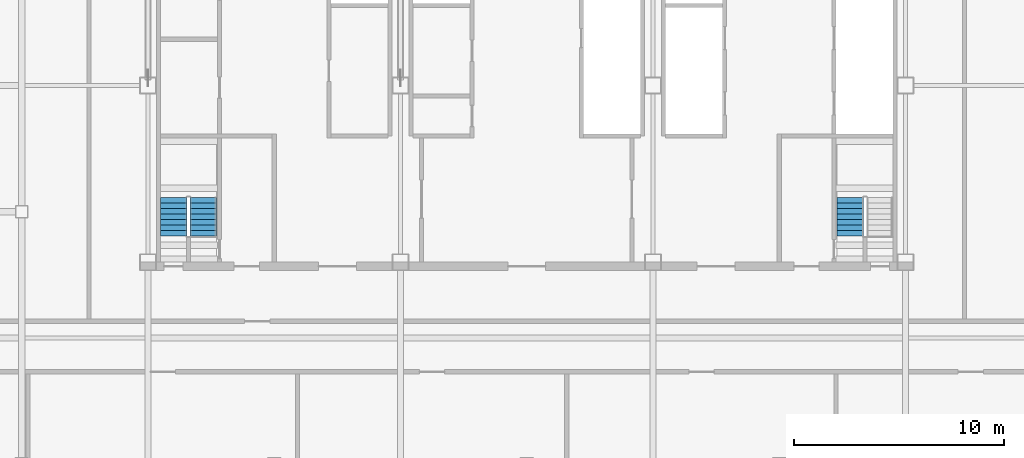
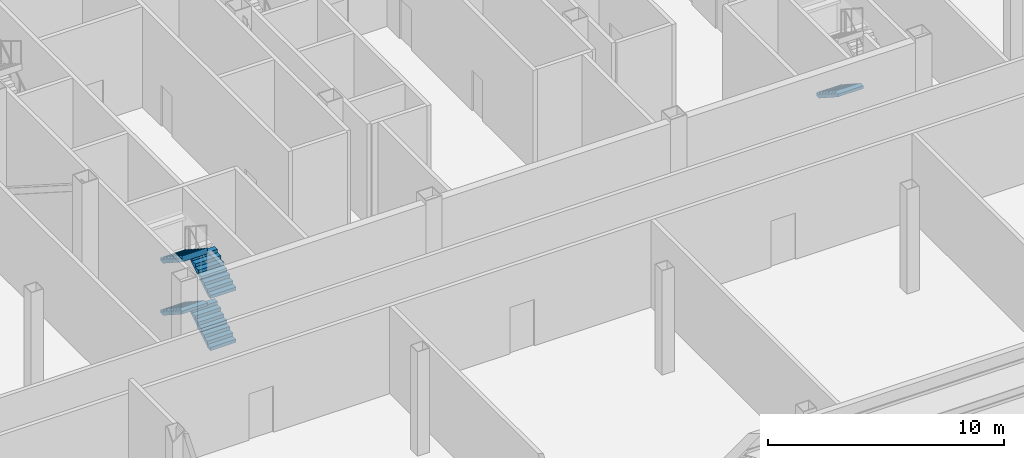
# One storey, part 7 of 11: 5 stair flights, 2 elements without a shape of their own.
"""IFC4 building model written with IfcOpenShell, lengths in metres."""

from ifc_helpers import new_model, si_unit, direction, frame, origin, place, context, subcontext, project, spatial, polyline, outline, extrude, material, type_object, element, aggregate, save


model = new_model("IFC4")

# Units and contexts
model_context = context("Model", 3, precision=1e-05, world=origin(), true_north=direction((0.0, 1.0)))
body_context = subcontext(model_context, "Body", "Model", "MODEL_VIEW")
ifc_project = project(units=[si_unit("LENGTHUNIT", "METRE"), si_unit("AREAUNIT", "SQUARE_METRE"), si_unit("VOLUMEUNIT", "CUBIC_METRE"), si_unit("PLANEANGLEUNIT", "RADIAN"), si_unit("MASSUNIT", "GRAM", prefix="KILO")], contexts=[model_context])

# Site, building, storey
site_placement = place(None, origin())
site = spatial("IfcSite", under=ifc_project, at=site_placement, CompositionType="ELEMENT")
building_placement = place(site_placement, origin())
building = spatial("IfcBuilding", under=site, at=building_placement, Name="Sorahane Residences", CompositionType="ELEMENT")
storey_placement = place(building_placement, frame((0.0, 0.0, 234.199951171875)))
storey = spatial("IfcBuildingStorey", under=building, at=storey_placement, Name="L55", CompositionType="ELEMENT", Elevation=234.199951171875)

# Stair, stair flights
ifc_material_1 = material(Name="Concrete C40", Category="concrete")
stair_type = type_object("IfcStairType", Name="Dog-leg stair 1250 Concrete C40", PredefinedType="HALF_TURN_STAIR", material=ifc_material_1)
stair_1_placement = place(storey_placement, origin())
stair_1 = element("IfcStair", 1, at=stair_1_placement, inside=storey, type_object=stair_type, Name="L55 Stair S4", PredefinedType="HALF_TURN_STAIR")
ifc_material_2 = material(Name="Concrete C40", Category="concrete")
stair_flight_type = type_object("IfcStairFlightType", Name="Stair flight 1250 Concrete C40", PredefinedType="STRAIGHT", material=ifc_material_2)
stair_flight_1_placement = place(storey_placement, frame((8.625, 22.85009765625, 0.0), z_axis=(0.0, 0.0, 1.0), x_axis=(0.0, 1.0, 0.0)))
stair_flight_1 = element("IfcStairFlight", 2, at=stair_flight_1_placement, type_object=stair_flight_type, Name="S4 flight 1", NumberOfRisers=8, NumberOfTreads=7, PredefinedType="STRAIGHT", RiserHeight=0.16875, TreadLength=0.26, context=body_context, shape_type="SweptSolid", body=[
    extrude(outline(polyline([(-0.00146484375, 0.0), (-0.00146484375, 0.002197265625), (-0.00146484375, 0.004150390625), (-0.00146484375, 0.00634765625), (-0.00146484375, 0.00830078125), (-0.00146484375, 0.010498046875), (-0.00146484375, 0.012451171875), (-0.00146484375, 0.0146484375), (-0.00146484375, 0.0166015625), (-0.00146484375, 0.018798828125), (-0.00146484375, 0.020751953125), (-0.00146484375, 0.02294921875), (-0.00146484375, 0.02490234375), (-0.00146484375, 0.027099609375), (-0.00146484375, 0.029052734375), (-0.00146484375, 0.03125), (-0.00146484375, 0.033447265625), (-0.00146484375, 0.035400390625), (-0.00146484375, 0.03759765625), (-0.00146484375, 0.03955078125), (-0.00146484375, 0.041748046875), (-0.00146484375, 0.043701171875), (-0.00146484375, 0.0458984375), (-0.00146484375, 0.0478515625), (-0.00146484375, 0.050048828125), (-0.00146484375, 0.052001953125), (-0.00146484375, 0.05419921875), (-0.00146484375, 0.05615234375), (-0.00146484375, 0.058349609375), (-0.00146484375, 0.060302734375), (-0.00146484375, 0.0625), (-0.00146484375, 0.064697265625), (-0.00146484375, 0.066650390625), (-0.00146484375, 0.06884765625), (-0.00146484375, 0.07080078125), (-0.00146484375, 0.072998046875), (-0.00146484375, 0.074951171875), (-0.00146484375, 0.0771484375), (-0.00146484375, 0.0791015625), (-0.00146484375, 0.081298828125), (-0.00146484375, 0.083251953125), (-0.00146484375, 0.08544921875), (-0.00146484375, 0.08740234375), (-0.00146484375, 0.089599609375), (-0.00146484375, 0.091552734375), (-0.00146484375, 0.09375), (-0.00146484375, 0.095947265625), (-0.00146484375, 0.097900390625), (-0.00146484375, 0.10009765625), (-0.00146484375, 0.10205078125), (-0.00146484375, 0.104248046875), (-0.00146484375, 0.106201171875), (-0.00146484375, 0.1083984375), (-0.00146484375, 0.1103515625), (-0.00146484375, 0.112548828125), (-0.00146484375, 0.114501953125), (-0.00146484375, 0.11669921875), (-0.00146484375, 0.11865234375), (-0.00146484375, 0.120849609375), (-0.00146484375, 0.122802734375), (-0.00146484375, 0.125), (-0.00146484375, 0.127197265625), (-0.00146484375, 0.129150390625), (-0.00146484375, 0.13134765625), (-0.00146484375, 0.13330078125), (-0.00146484375, 0.135498046875), (-0.00146484375, 0.137451171875), (-0.00146484375, 0.1396484375), (-0.00146484375, 0.1416015625), (-0.00146484375, 0.143798828125), (-0.00146484375, 0.145751953125), (-0.00146484375, 0.14794921875), (-0.00146484375, 0.14990234375), (-0.00146484375, 0.152099609375), (-0.00146484375, 0.154052734375), (-0.00146484375, 0.15625), (-0.00146484375, 0.158447265625), (-0.00146484375, 0.160400390625), (-0.00146484375, 0.16259765625), (-0.00146484375, 0.16455078125), (-0.00146484375, 0.166748046875), (-0.00146484375, 0.168701171875), (0.0, 0.168701171875), (0.260009765625, 0.168701171875), (0.260009765625, 0.33740234375), (0.52001953125, 0.33740234375), (0.52001953125, 0.50634765625), (0.780029296875, 0.50634765625), (0.780029296875, 0.675048828125), (1.0400390625, 0.675048828125), (1.0400390625, 0.84375), (1.300048828125, 0.84375), (1.300048828125, 1.012451171875), (1.56005859375, 1.012451171875), (1.56005859375, 1.18115234375), (1.820068359375, 1.18115234375), (1.820068359375, 1.35009765625), (1.820068359375, 1.34619140625), (1.820068359375, 1.34228515625), (1.820068359375, 1.33837890625), (1.820068359375, 1.334716796875), (1.820068359375, 1.330810546875), (1.820068359375, 1.326904296875), (1.820068359375, 1.322998046875), (1.820068359375, 1.319091796875), (1.820068359375, 1.3154296875), (1.820068359375, 1.3115234375), (1.820068359375, 1.3076171875), (1.820068359375, 1.3037109375), (1.820068359375, 1.300048828125), (1.820068359375, 1.296142578125), (1.820068359375, 1.292236328125), (1.820068359375, 1.288330078125), (1.820068359375, 1.284423828125), (1.820068359375, 1.28076171875), (1.820068359375, 1.27685546875), (1.820068359375, 1.27294921875), (1.820068359375, 1.26904296875), (1.820068359375, 1.265380859375), (1.820068359375, 1.261474609375), (1.820068359375, 1.257568359375), (1.820068359375, 1.253662109375), (1.820068359375, 1.249755859375), (1.820068359375, 1.24609375), (1.820068359375, 1.2421875), (1.820068359375, 1.23828125), (1.820068359375, 1.234375), (1.820068359375, 1.230712890625), (1.820068359375, 1.226806640625), (1.820068359375, 1.222900390625), (1.820068359375, 1.218994140625), (1.820068359375, 1.215087890625), (1.820068359375, 1.21142578125), (1.820068359375, 1.20751953125), (1.820068359375, 1.20361328125), (1.820068359375, 1.19970703125), (1.820068359375, 1.196044921875), (1.820068359375, 1.192138671875), (1.820068359375, 1.188232421875), (1.820068359375, 1.184326171875), (1.820068359375, 1.1806640625), (1.820068359375, 1.1767578125), (1.820068359375, 1.1728515625), (1.820068359375, 1.1689453125), (1.820068359375, 1.1650390625), (1.820068359375, 1.161376953125), (1.820068359375, 1.157470703125), (1.820068359375, 1.153564453125), (1.820068359375, 1.149658203125), (1.820068359375, 1.14599609375), (1.820068359375, 1.14208984375), (1.820068359375, 1.13818359375), (1.820068359375, 1.13427734375), (1.820068359375, 1.13037109375), (1.820068359375, 1.126708984375), (1.820068359375, 1.122802734375), (1.820068359375, 1.118896484375), (1.820068359375, 1.114990234375), (1.820068359375, 1.111328125), (1.820068359375, 1.107421875), (1.820068359375, 1.103515625), (1.820068359375, 1.099609375), (1.820068359375, 1.095703125), (1.820068359375, 1.092041015625), (1.820068359375, 1.088134765625), (1.820068359375, 1.084228515625), (1.820068359375, 1.080322265625), (1.820068359375, 1.07666015625), (1.820068359375, 1.07275390625), (1.820068359375, 1.06884765625), (1.820068359375, 1.06494140625), (1.820068359375, 1.061279296875), (1.820068359375, 1.057373046875), (1.820068359375, 1.053466796875), (1.820068359375, 1.049560546875), (1.820068359375, 1.045654296875), (1.820068359375, 1.0419921875), (1.820068359375, 1.0380859375), (1.642333984375, 0.922607421875), (1.464599609375, 0.807373046875), (1.286865234375, 0.692138671875), (1.109130859375, 0.57666015625), (0.931396484375, 0.46142578125), (0.753662109375, 0.345947265625), (0.575927734375, 0.230712890625), (0.3984375, 0.115234375), (0.220703125, 0.0), (-0.00146484375, 0.0)])), frame((0.0, 0.625, 0.0), z_axis=(0.0, -1.0, 0.0), x_axis=(1.0, 0.0, 0.0)), (0.0, 0.0, 1.0), 1.25),
])
stair_flight_2_placement = place(storey_placement, frame((7.22509765625, 24.669921875, 1.35009765625), z_axis=(0.0, 0.0, 1.0), x_axis=(0.0, -1.0, 0.0)))
stair_flight_2 = element("IfcStairFlight", 3, at=stair_flight_2_placement, type_object=stair_flight_type, Name="S4 flight 2", NumberOfRisers=8, NumberOfTreads=7, PredefinedType="STRAIGHT", RiserHeight=0.16875, TreadLength=0.26, context=body_context, shape_type="SweptSolid", body=[
    extrude(outline(polyline([(0.0, 0.0), (0.0, 0.002197265625), (0.0, 0.004150390625), (0.0, 0.00634765625), (0.0, 0.00830078125), (0.0, 0.010498046875), (0.0, 0.012451171875), (0.0, 0.0146484375), (0.0, 0.0166015625), (0.0, 0.018798828125), (0.0, 0.020751953125), (0.0, 0.02294921875), (0.0, 0.02490234375), (0.0, 0.027099609375), (0.0, 0.029052734375), (0.0, 0.03125), (0.0, 0.033447265625), (0.0, 0.035400390625), (0.0, 0.03759765625), (0.0, 0.03955078125), (0.0, 0.041748046875), (0.0, 0.043701171875), (0.0, 0.0458984375), (0.0, 0.0478515625), (0.0, 0.050048828125), (0.0, 0.052001953125), (0.0, 0.05419921875), (0.0, 0.05615234375), (0.0, 0.058349609375), (0.0, 0.060302734375), (0.0, 0.0625), (0.0, 0.064697265625), (0.0, 0.066650390625), (0.0, 0.06884765625), (0.0, 0.07080078125), (0.0, 0.072998046875), (0.0, 0.074951171875), (0.0, 0.0771484375), (0.0, 0.0791015625), (0.0, 0.081298828125), (0.0, 0.083251953125), (0.0, 0.08544921875), (0.0, 0.08740234375), (0.0, 0.089599609375), (0.0, 0.091552734375), (0.0, 0.09375), (0.0, 0.095947265625), (0.0, 0.097900390625), (0.0, 0.10009765625), (0.0, 0.10205078125), (0.0, 0.104248046875), (0.0, 0.106201171875), (0.0, 0.1083984375), (0.0, 0.1103515625), (0.0, 0.112548828125), (0.0, 0.114501953125), (0.0, 0.11669921875), (0.0, 0.11865234375), (0.0, 0.120849609375), (0.0, 0.122802734375), (0.0, 0.125), (0.0, 0.127197265625), (0.0, 0.129150390625), (0.0, 0.13134765625), (0.0, 0.13330078125), (0.0, 0.135498046875), (0.0, 0.137451171875), (0.0, 0.1396484375), (0.0, 0.1416015625), (0.0, 0.143798828125), (0.0, 0.145751953125), (0.0, 0.14794921875), (0.0, 0.14990234375), (0.0, 0.152099609375), (0.0, 0.154052734375), (0.0, 0.15625), (0.0, 0.158447265625), (0.0, 0.160400390625), (0.0, 0.16259765625), (0.0, 0.16455078125), (0.0, 0.166748046875), (0.0, 0.168701171875), (0.260009765625, 0.168701171875), (0.260009765625, 0.33740234375), (0.52001953125, 0.33740234375), (0.52001953125, 0.50634765625), (0.780029296875, 0.50634765625), (0.780029296875, 0.675048828125), (1.0400390625, 0.675048828125), (1.0400390625, 0.84375), (1.300048828125, 0.84375), (1.300048828125, 1.012451171875), (1.56005859375, 1.012451171875), (1.56005859375, 1.18115234375), (1.820068359375, 1.18115234375), (1.820068359375, 1.35009765625), (1.820068359375, 1.34619140625), (1.820068359375, 1.34228515625), (1.820068359375, 1.33837890625), (1.820068359375, 1.334716796875), (1.820068359375, 1.330810546875), (1.820068359375, 1.326904296875), (1.820068359375, 1.322998046875), (1.820068359375, 1.319091796875), (1.820068359375, 1.3154296875), (1.820068359375, 1.3115234375), (1.820068359375, 1.3076171875), (1.820068359375, 1.3037109375), (1.820068359375, 1.300048828125), (1.820068359375, 1.296142578125), (1.820068359375, 1.292236328125), (1.820068359375, 1.288330078125), (1.820068359375, 1.284423828125), (1.820068359375, 1.28076171875), (1.820068359375, 1.27685546875), (1.820068359375, 1.27294921875), (1.820068359375, 1.26904296875), (1.820068359375, 1.265380859375), (1.820068359375, 1.261474609375), (1.820068359375, 1.257568359375), (1.820068359375, 1.253662109375), (1.820068359375, 1.249755859375), (1.820068359375, 1.24609375), (1.820068359375, 1.2421875), (1.820068359375, 1.23828125), (1.820068359375, 1.234375), (1.820068359375, 1.230712890625), (1.820068359375, 1.226806640625), (1.820068359375, 1.222900390625), (1.820068359375, 1.218994140625), (1.820068359375, 1.215087890625), (1.820068359375, 1.21142578125), (1.820068359375, 1.20751953125), (1.820068359375, 1.20361328125), (1.820068359375, 1.19970703125), (1.820068359375, 1.196044921875), (1.820068359375, 1.192138671875), (1.820068359375, 1.188232421875), (1.820068359375, 1.184326171875), (1.820068359375, 1.1806640625), (1.820068359375, 1.1767578125), (1.820068359375, 1.1728515625), (1.820068359375, 1.1689453125), (1.820068359375, 1.1650390625), (1.820068359375, 1.161376953125), (1.820068359375, 1.157470703125), (1.820068359375, 1.153564453125), (1.820068359375, 1.149658203125), (1.820068359375, 1.14599609375), (1.820068359375, 1.14208984375), (1.820068359375, 1.13818359375), (1.820068359375, 1.13427734375), (1.820068359375, 1.13037109375), (1.820068359375, 1.126708984375), (1.820068359375, 1.122802734375), (1.820068359375, 1.118896484375), (1.820068359375, 1.114990234375), (1.820068359375, 1.111328125), (1.820068359375, 1.107421875), (1.820068359375, 1.103515625), (1.820068359375, 1.099609375), (1.820068359375, 1.095703125), (1.820068359375, 1.092041015625), (1.820068359375, 1.088134765625), (1.820068359375, 1.084228515625), (1.820068359375, 1.080322265625), (1.820068359375, 1.07666015625), (1.820068359375, 1.07275390625), (1.820068359375, 1.06884765625), (1.820068359375, 1.06494140625), (1.820068359375, 1.061279296875), (1.820068359375, 1.057373046875), (1.820068359375, 1.053466796875), (1.820068359375, 1.049560546875), (1.820068359375, 1.045654296875), (1.820068359375, 1.0419921875), (1.820068359375, 1.0380859375), (1.6201171875, 0.908203125), (1.420166015625, 0.778564453125), (1.22021484375, 0.648681640625), (1.020263671875, 0.51904296875), (0.8203125, 0.38916015625), (0.620361328125, 0.259521484375), (0.420654296875, 0.129638671875), (0.220703125, 0.0), (0.0, 0.0)])), frame((0.0, 0.625, 0.0), z_axis=(0.0, -1.0, 0.0), x_axis=(1.0, 0.0, 0.0)), (0.0, 0.0, 1.0), 1.25),
])
stair_flight_3_placement = place(storey_placement, frame((8.625, 22.85009765625, 2.699951171875), z_axis=(0.0, 0.0, 1.0), x_axis=(0.0, 1.0, 0.0)))
stair_flight_3 = element("IfcStairFlight", 4, at=stair_flight_3_placement, type_object=stair_flight_type, Name="S4 flight 3", NumberOfRisers=8, NumberOfTreads=7, PredefinedType="STRAIGHT", RiserHeight=0.16875, TreadLength=0.26, context=body_context, shape_type="SweptSolid", body=[
    extrude(outline(polyline([(0.0, 0.0), (0.0, 0.002197265625), (0.0, 0.004150390625), (0.0, 0.00634765625), (0.0, 0.00830078125), (0.0, 0.010498046875), (0.0, 0.012451171875), (0.0, 0.0146484375), (0.0, 0.0166015625), (0.0, 0.018798828125), (0.0, 0.020751953125), (0.0, 0.02294921875), (0.0, 0.02490234375), (0.0, 0.027099609375), (0.0, 0.029052734375), (0.0, 0.03125), (0.0, 0.033447265625), (0.0, 0.035400390625), (0.0, 0.03759765625), (0.0, 0.03955078125), (0.0, 0.041748046875), (0.0, 0.043701171875), (0.0, 0.0458984375), (0.0, 0.0478515625), (0.0, 0.050048828125), (0.0, 0.052001953125), (0.0, 0.05419921875), (0.0, 0.05615234375), (0.0, 0.058349609375), (0.0, 0.060302734375), (0.0, 0.0625), (0.0, 0.064697265625), (0.0, 0.066650390625), (0.0, 0.06884765625), (0.0, 0.07080078125), (0.0, 0.072998046875), (0.0, 0.074951171875), (0.0, 0.0771484375), (0.0, 0.0791015625), (0.0, 0.081298828125), (0.0, 0.083251953125), (0.0, 0.08544921875), (0.0, 0.08740234375), (0.0, 0.089599609375), (0.0, 0.091552734375), (0.0, 0.09375), (0.0, 0.095947265625), (0.0, 0.097900390625), (0.0, 0.10009765625), (0.0, 0.10205078125), (0.0, 0.104248046875), (0.0, 0.106201171875), (0.0, 0.1083984375), (0.0, 0.1103515625), (0.0, 0.112548828125), (0.0, 0.114501953125), (0.0, 0.11669921875), (0.0, 0.11865234375), (0.0, 0.120849609375), (0.0, 0.122802734375), (0.0, 0.125), (0.0, 0.127197265625), (0.0, 0.129150390625), (0.0, 0.13134765625), (0.0, 0.13330078125), (0.0, 0.135498046875), (0.0, 0.137451171875), (0.0, 0.1396484375), (0.0, 0.1416015625), (0.0, 0.143798828125), (0.0, 0.145751953125), (0.0, 0.14794921875), (0.0, 0.14990234375), (0.0, 0.152099609375), (0.0, 0.154052734375), (0.0, 0.15625), (0.0, 0.158447265625), (0.0, 0.160400390625), (0.0, 0.16259765625), (0.0, 0.16455078125), (0.0, 0.166748046875), (0.0, 0.168701171875), (0.260009765625, 0.168701171875), (0.260009765625, 0.33740234375), (0.52001953125, 0.33740234375), (0.52001953125, 0.50634765625), (0.780029296875, 0.50634765625), (0.780029296875, 0.675048828125), (1.0400390625, 0.675048828125), (1.0400390625, 0.84375), (1.300048828125, 0.84375), (1.300048828125, 1.012451171875), (1.56005859375, 1.012451171875), (1.56005859375, 1.18115234375), (1.820068359375, 1.18115234375), (1.820068359375, 1.35009765625), (1.820068359375, 1.34619140625), (1.820068359375, 1.34228515625), (1.820068359375, 1.33837890625), (1.820068359375, 1.334716796875), (1.820068359375, 1.330810546875), (1.820068359375, 1.326904296875), (1.820068359375, 1.322998046875), (1.820068359375, 1.319091796875), (1.820068359375, 1.3154296875), (1.820068359375, 1.3115234375), (1.820068359375, 1.3076171875), (1.820068359375, 1.3037109375), (1.820068359375, 1.300048828125), (1.820068359375, 1.296142578125), (1.820068359375, 1.292236328125), (1.820068359375, 1.288330078125), (1.820068359375, 1.284423828125), (1.820068359375, 1.28076171875), (1.820068359375, 1.27685546875), (1.820068359375, 1.27294921875), (1.820068359375, 1.26904296875), (1.820068359375, 1.265380859375), (1.820068359375, 1.261474609375), (1.820068359375, 1.257568359375), (1.820068359375, 1.253662109375), (1.820068359375, 1.249755859375), (1.820068359375, 1.24609375), (1.820068359375, 1.2421875), (1.820068359375, 1.23828125), (1.820068359375, 1.234375), (1.820068359375, 1.230712890625), (1.820068359375, 1.226806640625), (1.820068359375, 1.222900390625), (1.820068359375, 1.218994140625), (1.820068359375, 1.215087890625), (1.820068359375, 1.21142578125), (1.820068359375, 1.20751953125), (1.820068359375, 1.20361328125), (1.820068359375, 1.19970703125), (1.820068359375, 1.196044921875), (1.820068359375, 1.192138671875), (1.820068359375, 1.188232421875), (1.820068359375, 1.184326171875), (1.820068359375, 1.1806640625), (1.820068359375, 1.1767578125), (1.820068359375, 1.1728515625), (1.820068359375, 1.1689453125), (1.820068359375, 1.1650390625), (1.820068359375, 1.161376953125), (1.820068359375, 1.157470703125), (1.820068359375, 1.153564453125), (1.820068359375, 1.149658203125), (1.820068359375, 1.14599609375), (1.820068359375, 1.14208984375), (1.820068359375, 1.13818359375), (1.820068359375, 1.13427734375), (1.820068359375, 1.13037109375), (1.820068359375, 1.126708984375), (1.820068359375, 1.122802734375), (1.820068359375, 1.118896484375), (1.820068359375, 1.114990234375), (1.820068359375, 1.111328125), (1.820068359375, 1.107421875), (1.820068359375, 1.103515625), (1.820068359375, 1.099609375), (1.820068359375, 1.095703125), (1.820068359375, 1.092041015625), (1.820068359375, 1.088134765625), (1.820068359375, 1.084228515625), (1.820068359375, 1.080322265625), (1.820068359375, 1.07666015625), (1.820068359375, 1.07275390625), (1.820068359375, 1.06884765625), (1.820068359375, 1.06494140625), (1.820068359375, 1.061279296875), (1.820068359375, 1.057373046875), (1.820068359375, 1.053466796875), (1.820068359375, 1.049560546875), (1.820068359375, 1.045654296875), (1.820068359375, 1.0419921875), (1.820068359375, 1.0380859375), (1.6201171875, 0.908203125), (1.420166015625, 0.778564453125), (1.22021484375, 0.648681640625), (1.020263671875, 0.51904296875), (0.8203125, 0.38916015625), (0.620361328125, 0.259521484375), (0.420654296875, 0.129638671875), (0.220703125, 0.0), (0.0, 0.0)])), frame((0.0, 0.625, 0.0), z_axis=(0.0, -1.0, 0.0), x_axis=(1.0, 0.0, 0.0)), (0.0, 0.0, 1.0), 1.25),
])
stair_flight_4_placement = place(storey_placement, frame((7.22509765625, 24.669921875, 4.050048828125), z_axis=(0.0, 0.0, 1.0), x_axis=(0.0, -1.0, 0.0)))
stair_flight_4 = element("IfcStairFlight", 5, at=stair_flight_4_placement, type_object=stair_flight_type, Name="S4 flight 4", NumberOfRisers=8, NumberOfTreads=7, PredefinedType="STRAIGHT", RiserHeight=0.16875, TreadLength=0.26, context=body_context, shape_type="SweptSolid", body=[
    extrude(outline(polyline([(0.0, 0.0), (0.0, 0.002197265625), (0.0, 0.004150390625), (0.0, 0.00634765625), (0.0, 0.00830078125), (0.0, 0.010498046875), (0.0, 0.012451171875), (0.0, 0.0146484375), (0.0, 0.0166015625), (0.0, 0.018798828125), (0.0, 0.020751953125), (0.0, 0.02294921875), (0.0, 0.02490234375), (0.0, 0.027099609375), (0.0, 0.029052734375), (0.0, 0.03125), (0.0, 0.033447265625), (0.0, 0.035400390625), (0.0, 0.03759765625), (0.0, 0.03955078125), (0.0, 0.041748046875), (0.0, 0.043701171875), (0.0, 0.0458984375), (0.0, 0.0478515625), (0.0, 0.050048828125), (0.0, 0.052001953125), (0.0, 0.05419921875), (0.0, 0.05615234375), (0.0, 0.058349609375), (0.0, 0.060302734375), (0.0, 0.0625), (0.0, 0.064697265625), (0.0, 0.066650390625), (0.0, 0.06884765625), (0.0, 0.07080078125), (0.0, 0.072998046875), (0.0, 0.074951171875), (0.0, 0.0771484375), (0.0, 0.0791015625), (0.0, 0.081298828125), (0.0, 0.083251953125), (0.0, 0.08544921875), (0.0, 0.08740234375), (0.0, 0.089599609375), (0.0, 0.091552734375), (0.0, 0.09375), (0.0, 0.095947265625), (0.0, 0.097900390625), (0.0, 0.10009765625), (0.0, 0.10205078125), (0.0, 0.104248046875), (0.0, 0.106201171875), (0.0, 0.1083984375), (0.0, 0.1103515625), (0.0, 0.112548828125), (0.0, 0.114501953125), (0.0, 0.11669921875), (0.0, 0.11865234375), (0.0, 0.120849609375), (0.0, 0.122802734375), (0.0, 0.125), (0.0, 0.127197265625), (0.0, 0.129150390625), (0.0, 0.13134765625), (0.0, 0.13330078125), (0.0, 0.135498046875), (0.0, 0.137451171875), (0.0, 0.1396484375), (0.0, 0.1416015625), (0.0, 0.143798828125), (0.0, 0.145751953125), (0.0, 0.14794921875), (0.0, 0.14990234375), (0.0, 0.152099609375), (0.0, 0.154052734375), (0.0, 0.15625), (0.0, 0.158447265625), (0.0, 0.160400390625), (0.0, 0.16259765625), (0.0, 0.16455078125), (0.0, 0.166748046875), (0.0, 0.168701171875), (0.260009765625, 0.168701171875), (0.260009765625, 0.33740234375), (0.52001953125, 0.33740234375), (0.52001953125, 0.50634765625), (0.780029296875, 0.50634765625), (0.780029296875, 0.675048828125), (1.0400390625, 0.675048828125), (1.0400390625, 0.84375), (1.300048828125, 0.84375), (1.300048828125, 1.012451171875), (1.56005859375, 1.012451171875), (1.56005859375, 1.18115234375), (1.820068359375, 1.18115234375), (1.820068359375, 1.35009765625), (1.821533203125, 1.35009765625), (1.821533203125, 1.34619140625), (1.821533203125, 1.34228515625), (1.821533203125, 1.33837890625), (1.821533203125, 1.334716796875), (1.821533203125, 1.330810546875), (1.821533203125, 1.326904296875), (1.821533203125, 1.322998046875), (1.821533203125, 1.319091796875), (1.821533203125, 1.3154296875), (1.821533203125, 1.3115234375), (1.821533203125, 1.3076171875), (1.821533203125, 1.3037109375), (1.821533203125, 1.300048828125), (1.821533203125, 1.296142578125), (1.821533203125, 1.292236328125), (1.821533203125, 1.288330078125), (1.821533203125, 1.284423828125), (1.821533203125, 1.28076171875), (1.821533203125, 1.27685546875), (1.821533203125, 1.27294921875), (1.821533203125, 1.26904296875), (1.821533203125, 1.265380859375), (1.821533203125, 1.261474609375), (1.821533203125, 1.257568359375), (1.821533203125, 1.253662109375), (1.821533203125, 1.249755859375), (1.821533203125, 1.24609375), (1.821533203125, 1.2421875), (1.821533203125, 1.23828125), (1.821533203125, 1.234375), (1.821533203125, 1.230712890625), (1.821533203125, 1.226806640625), (1.821533203125, 1.222900390625), (1.821533203125, 1.218994140625), (1.821533203125, 1.215087890625), (1.821533203125, 1.21142578125), (1.821533203125, 1.20751953125), (1.821533203125, 1.20361328125), (1.821533203125, 1.19970703125), (1.821533203125, 1.196044921875), (1.821533203125, 1.192138671875), (1.821533203125, 1.188232421875), (1.821533203125, 1.184326171875), (1.821533203125, 1.1806640625), (1.821533203125, 1.1767578125), (1.821533203125, 1.1728515625), (1.821533203125, 1.1689453125), (1.821533203125, 1.1650390625), (1.821533203125, 1.161376953125), (1.821533203125, 1.157470703125), (1.821533203125, 1.153564453125), (1.821533203125, 1.149658203125), (1.821533203125, 1.14599609375), (1.821533203125, 1.14208984375), (1.821533203125, 1.13818359375), (1.821533203125, 1.13427734375), (1.821533203125, 1.13037109375), (1.821533203125, 1.126708984375), (1.821533203125, 1.122802734375), (1.821533203125, 1.118896484375), (1.821533203125, 1.114990234375), (1.821533203125, 1.111328125), (1.821533203125, 1.107421875), (1.821533203125, 1.103515625), (1.821533203125, 1.099609375), (1.821533203125, 1.095703125), (1.821533203125, 1.092041015625), (1.821533203125, 1.088134765625), (1.821533203125, 1.084228515625), (1.821533203125, 1.080322265625), (1.821533203125, 1.07666015625), (1.821533203125, 1.07275390625), (1.821533203125, 1.06884765625), (1.821533203125, 1.06494140625), (1.821533203125, 1.061279296875), (1.821533203125, 1.057373046875), (1.821533203125, 1.053466796875), (1.821533203125, 1.049560546875), (1.821533203125, 1.045654296875), (1.821533203125, 1.0419921875), (1.821533203125, 1.0380859375), (1.6435546875, 0.922607421875), (1.4658203125, 0.807373046875), (1.287841796875, 0.692138671875), (1.110107421875, 0.57666015625), (0.93212890625, 0.46142578125), (0.754150390625, 0.345947265625), (0.576416015625, 0.230712890625), (0.3984375, 0.115234375), (0.220703125, 0.0), (0.0, 0.0)])), frame((0.0, 0.625, 0.0), z_axis=(0.0, -1.0, 0.0), x_axis=(1.0, 0.0, 0.0)), (0.0, 0.0, 1.0), 1.25),
])
aggregate(stair_1, [stair_flight_1, stair_flight_2, stair_flight_3, stair_flight_4])

# Stair, stair flight
stair_2_placement = place(storey_placement, origin())
stair_2 = element("IfcStair", 6, at=stair_2_placement, inside=storey, type_object=stair_type, Name="L55 Stair S5", PredefinedType="HALF_TURN_STAIR")
stair_flight_5_placement = place(storey_placement, frame((39.375, 24.669921875, 1.35009765625), z_axis=(0.0, 0.0, 1.0), x_axis=(0.0, -1.0, 0.0)))
stair_flight_5 = element("IfcStairFlight", 7, at=stair_flight_5_placement, type_object=stair_flight_type, Name="S5 flight 2", NumberOfRisers=8, NumberOfTreads=7, PredefinedType="STRAIGHT", RiserHeight=0.16875, TreadLength=0.26, context=body_context, shape_type="SweptSolid", body=[
    extrude(outline(polyline([(0.0, 0.0), (0.0, 0.002197265625), (0.0, 0.004150390625), (0.0, 0.00634765625), (0.0, 0.00830078125), (0.0, 0.010498046875), (0.0, 0.012451171875), (0.0, 0.0146484375), (0.0, 0.0166015625), (0.0, 0.018798828125), (0.0, 0.020751953125), (0.0, 0.02294921875), (0.0, 0.02490234375), (0.0, 0.027099609375), (0.0, 0.029052734375), (0.0, 0.03125), (0.0, 0.033447265625), (0.0, 0.035400390625), (0.0, 0.03759765625), (0.0, 0.03955078125), (0.0, 0.041748046875), (0.0, 0.043701171875), (0.0, 0.0458984375), (0.0, 0.0478515625), (0.0, 0.050048828125), (0.0, 0.052001953125), (0.0, 0.05419921875), (0.0, 0.05615234375), (0.0, 0.058349609375), (0.0, 0.060302734375), (0.0, 0.0625), (0.0, 0.064697265625), (0.0, 0.066650390625), (0.0, 0.06884765625), (0.0, 0.07080078125), (0.0, 0.072998046875), (0.0, 0.074951171875), (0.0, 0.0771484375), (0.0, 0.0791015625), (0.0, 0.081298828125), (0.0, 0.083251953125), (0.0, 0.08544921875), (0.0, 0.08740234375), (0.0, 0.089599609375), (0.0, 0.091552734375), (0.0, 0.09375), (0.0, 0.095947265625), (0.0, 0.097900390625), (0.0, 0.10009765625), (0.0, 0.10205078125), (0.0, 0.104248046875), (0.0, 0.106201171875), (0.0, 0.1083984375), (0.0, 0.1103515625), (0.0, 0.112548828125), (0.0, 0.114501953125), (0.0, 0.11669921875), (0.0, 0.11865234375), (0.0, 0.120849609375), (0.0, 0.122802734375), (0.0, 0.125), (0.0, 0.127197265625), (0.0, 0.129150390625), (0.0, 0.13134765625), (0.0, 0.13330078125), (0.0, 0.135498046875), (0.0, 0.137451171875), (0.0, 0.1396484375), (0.0, 0.1416015625), (0.0, 0.143798828125), (0.0, 0.145751953125), (0.0, 0.14794921875), (0.0, 0.14990234375), (0.0, 0.152099609375), (0.0, 0.154052734375), (0.0, 0.15625), (0.0, 0.158447265625), (0.0, 0.160400390625), (0.0, 0.16259765625), (0.0, 0.16455078125), (0.0, 0.166748046875), (0.0, 0.168701171875), (0.260009765625, 0.168701171875), (0.260009765625, 0.33740234375), (0.52001953125, 0.33740234375), (0.52001953125, 0.50634765625), (0.780029296875, 0.50634765625), (0.780029296875, 0.675048828125), (1.0400390625, 0.675048828125), (1.0400390625, 0.84375), (1.300048828125, 0.84375), (1.300048828125, 1.012451171875), (1.56005859375, 1.012451171875), (1.56005859375, 1.18115234375), (1.820068359375, 1.18115234375), (1.820068359375, 1.35009765625), (1.820068359375, 1.34619140625), (1.820068359375, 1.34228515625), (1.820068359375, 1.33837890625), (1.820068359375, 1.334716796875), (1.820068359375, 1.330810546875), (1.820068359375, 1.326904296875), (1.820068359375, 1.322998046875), (1.820068359375, 1.319091796875), (1.820068359375, 1.3154296875), (1.820068359375, 1.3115234375), (1.820068359375, 1.3076171875), (1.820068359375, 1.3037109375), (1.820068359375, 1.300048828125), (1.820068359375, 1.296142578125), (1.820068359375, 1.292236328125), (1.820068359375, 1.288330078125), (1.820068359375, 1.284423828125), (1.820068359375, 1.28076171875), (1.820068359375, 1.27685546875), (1.820068359375, 1.27294921875), (1.820068359375, 1.26904296875), (1.820068359375, 1.265380859375), (1.820068359375, 1.261474609375), (1.820068359375, 1.257568359375), (1.820068359375, 1.253662109375), (1.820068359375, 1.249755859375), (1.820068359375, 1.24609375), (1.820068359375, 1.2421875), (1.820068359375, 1.23828125), (1.820068359375, 1.234375), (1.820068359375, 1.230712890625), (1.820068359375, 1.226806640625), (1.820068359375, 1.222900390625), (1.820068359375, 1.218994140625), (1.820068359375, 1.215087890625), (1.820068359375, 1.21142578125), (1.820068359375, 1.20751953125), (1.820068359375, 1.20361328125), (1.820068359375, 1.19970703125), (1.820068359375, 1.196044921875), (1.820068359375, 1.192138671875), (1.820068359375, 1.188232421875), (1.820068359375, 1.184326171875), (1.820068359375, 1.1806640625), (1.820068359375, 1.1767578125), (1.820068359375, 1.1728515625), (1.820068359375, 1.1689453125), (1.820068359375, 1.1650390625), (1.820068359375, 1.161376953125), (1.820068359375, 1.157470703125), (1.820068359375, 1.153564453125), (1.820068359375, 1.149658203125), (1.820068359375, 1.14599609375), (1.820068359375, 1.14208984375), (1.820068359375, 1.13818359375), (1.820068359375, 1.13427734375), (1.820068359375, 1.13037109375), (1.820068359375, 1.126708984375), (1.820068359375, 1.122802734375), (1.820068359375, 1.118896484375), (1.820068359375, 1.114990234375), (1.820068359375, 1.111328125), (1.820068359375, 1.107421875), (1.820068359375, 1.103515625), (1.820068359375, 1.099609375), (1.820068359375, 1.095703125), (1.820068359375, 1.092041015625), (1.820068359375, 1.088134765625), (1.820068359375, 1.084228515625), (1.820068359375, 1.080322265625), (1.820068359375, 1.07666015625), (1.820068359375, 1.07275390625), (1.820068359375, 1.06884765625), (1.820068359375, 1.06494140625), (1.820068359375, 1.061279296875), (1.820068359375, 1.057373046875), (1.820068359375, 1.053466796875), (1.820068359375, 1.049560546875), (1.820068359375, 1.045654296875), (1.820068359375, 1.0419921875), (1.820068359375, 1.0380859375), (1.6201171875, 0.908203125), (1.420166015625, 0.778564453125), (1.22021484375, 0.648681640625), (1.020263671875, 0.51904296875), (0.8203125, 0.38916015625), (0.620361328125, 0.259521484375), (0.420654296875, 0.129638671875), (0.220703125, 0.0), (0.0, 0.0)])), frame((0.0, 0.625, 0.0), z_axis=(0.0, -1.0, 0.0), x_axis=(1.0, 0.0, 0.0)), (0.0, 0.0, 1.0), 1.25),
])
aggregate(stair_2, [stair_flight_5])

save(model, "model.ifc")
